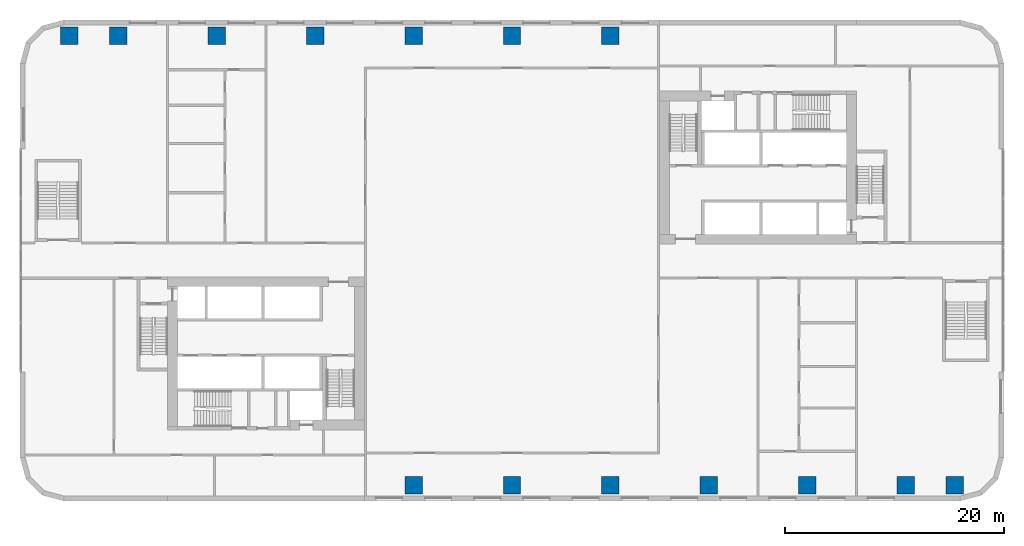
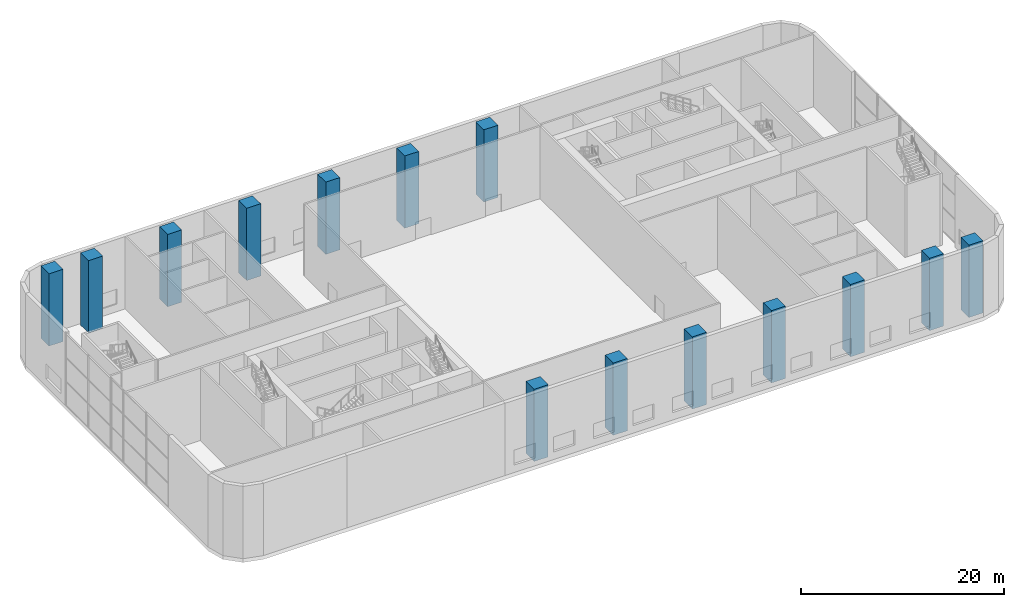
# One storey, part 1 of 24: 14 columns.
"""IFC4 building model written with IfcOpenShell, lengths in metres."""

from ifc_helpers import new_model, si_unit, direction, frame, origin, origin_2d, place, context, subcontext, project, spatial, rectangle, extrude, material, material_profile, profile_set, type_object, element, save


model = new_model("IFC4")

# Units and contexts
model_context = context("Model", 3, precision=1e-05, world=origin(), true_north=direction((0.0, 1.0)))
body_context = subcontext(model_context, "Body", "Model", "MODEL_VIEW")
ifc_project = project(units=[si_unit("LENGTHUNIT", "METRE"), si_unit("AREAUNIT", "SQUARE_METRE"), si_unit("VOLUMEUNIT", "CUBIC_METRE"), si_unit("PLANEANGLEUNIT", "RADIAN"), si_unit("MASSUNIT", "GRAM", prefix="KILO")], contexts=[model_context])

# Site, building, storey
site_placement = place(None, origin())
site = spatial("IfcSite", under=ifc_project, at=site_placement, CompositionType="ELEMENT")
building_placement = place(site_placement, origin())
building = spatial("IfcBuilding", under=site, at=building_placement, Name="Kajstack Hotel Tower", CompositionType="ELEMENT")
storey_placement = place(building_placement, frame((0.0, 0.0, 38.0)))
storey = spatial("IfcBuildingStorey", under=building, at=storey_placement, Name="L06", CompositionType="ELEMENT", Elevation=38.0)

# Columns
ifc_material = material(Name="Concrete C70/85", Category="concrete")
ifc_material_profile = material_profile(ifc_material, rectangle(XDim=1.60009765625, YDim=1.60009765625, at=origin_2d()), Name="RC 1600x1600")
ifc_profile_set = profile_set([ifc_material_profile], Name="Concrete C70/85")
column_type = type_object("IfcColumnType", Name="RC 1600x1600 C70/85", PredefinedType="COLUMN", material=ifc_profile_set)
for number, where, z_axis, x_axis, name in (
    (1, (-40.5, 20.550048828125, 0.0), (0.0, 0.0, 1.0), (1.0, 0.0, 0.0), "S-col-mega-L06--40p5+20p6"),
    (2, (-36.0, 20.550048828125, 0.0), (0.0, 0.0, 1.0), (1.0, 0.0, 0.0), "S-col-mega-L06--36p0+20p6"),
    (3, (-27.0, 20.550048828125, 0.0), (0.0, 0.0, 1.0), (1.0, 0.0, 0.0), "S-col-mega-L06--27p0+20p6"),
    (4, (-18.0, 20.550048828125, 0.0), (0.0, 0.0, 1.0), (1.0, 0.0, 0.0), "S-col-mega-L06--18p0+20p6"),
    (5, (-9.0, -20.550048828125, 0.0), (0.0, 0.0, 1.0), (1.0, 0.0, 0.0), "S-col-mega-L06--9p0-20p6"),
    (6, (-9.0, 20.550048828125, 0.0), (0.0, 0.0, 1.0), (1.0, 0.0, 0.0), "S-col-mega-L06--9p0+20p6"),
    (7, (0.0, -20.550048828125, 0.0), (0.0, 0.0, 1.0), (1.0, 0.0, 0.0), "S-col-mega-L06-+0p0-20p6"),
    (8, (0.0, 20.550048828125, 0.0), (0.0, 0.0, 1.0), (1.0, 0.0, 0.0), "S-col-mega-L06-+0p0+20p6"),
    (9, (9.0, -20.550048828125, 0.0), (0.0, 0.0, 1.0), (1.0, 0.0, 0.0), "S-col-mega-L06-+9p0-20p6"),
    (10, (9.0, 20.550048828125, 0.0), (0.0, 0.0, 1.0), (1.0, 0.0, 0.0), "S-col-mega-L06-+9p0+20p6"),
    (11, (18.0, -20.550048828125, 0.0), (0.0, 0.0, 1.0), (1.0, 0.0, 0.0), "S-col-mega-L06-+18p0-20p6"),
    (12, (27.0, -20.550048828125, 0.0), (0.0, 0.0, 1.0), (1.0, 0.0, 0.0), "S-col-mega-L06-+27p0-20p6"),
    (13, (36.0, -20.550048828125, 0.0), (0.0, 0.0, 1.0), (1.0, 0.0, 0.0), "S-col-mega-L06-+36p0-20p6"),
    (14, (40.5, -20.550048828125, 0.0), (0.0, 0.0, 1.0), (1.0, 0.0, 0.0), "S-col-mega-L06-+40p5-20p6"),
):
    element("IfcColumn", number, at=place(storey_placement, frame(where, z_axis=z_axis, x_axis=x_axis)), inside=storey, type_object=column_type, Name=name, PredefinedType="COLUMN", context=body_context, shape_type="SweptSolid", body=[
        extrude(rectangle(XDim=1.60009765625, YDim=1.60009765625, at=origin_2d()), origin(), (0.0, 0.0, 1.0), 8.699951171875),
    ])

save(model, "model.ifc")
